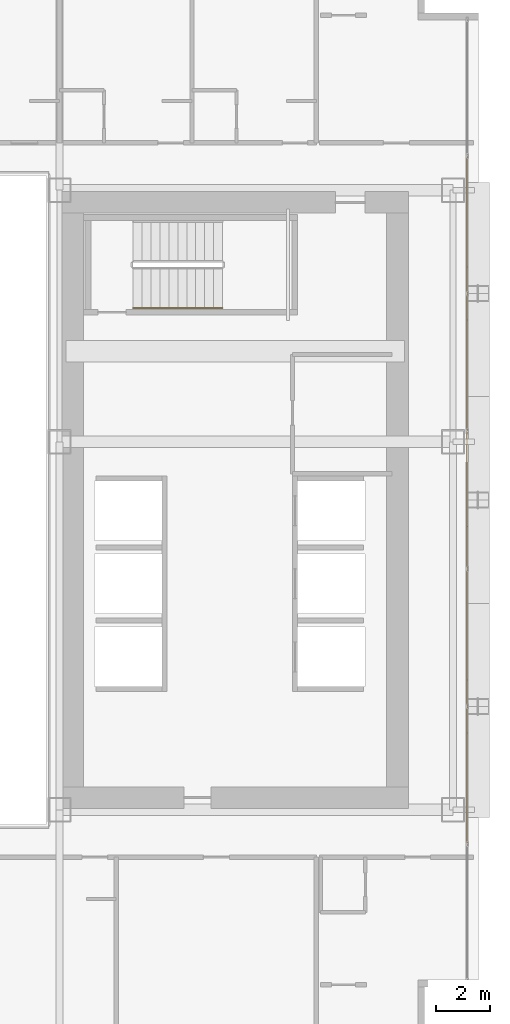
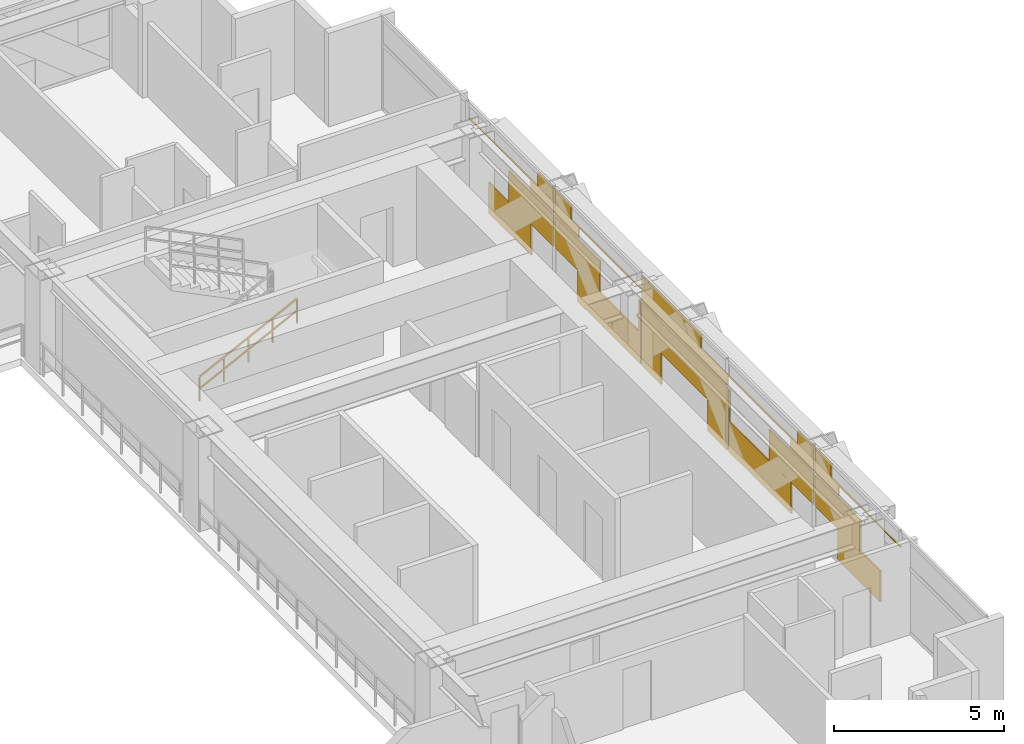
# One storey, part 34 of 35: 1 covering, 1 railing.
"""IFC4 building model written with IfcOpenShell, lengths in metres."""

import ifcopenshell
import ifcopenshell.guid

model = None  # the IFC model being written
_history = None  # IfcOwnerHistory: only IFC2X3 demands one
_inside = {}  # id of a spatial element -> (the spatial element, [elements in it])
_under = {}  # id of a project, library or spatial element -> (it, [spatial elements below it])
_declared = {}  # id of a project -> (the project, [libraries it declares])
_typed = {}  # id of a type object -> (the type object, [elements of that type])
_made_of = {}  # id of a material, layer set ... -> (it, [elements and type objects made of it])


def new_model(schema):
    """Start an empty IFC model of exactly this schema.

    Asked for "IFC4X3", IfcOpenShell would pick the latest addendum, in which some entities
    have other attributes; the version numbers below select the first issue.
    IFC2X3 requires an IfcOwnerHistory on every rooted entity: one is made here for all.
    """
    global model, _history
    if schema == "IFC4X3":
        model = ifcopenshell.file(schema_version=(4, 3, 0, 0))
    else:
        model = ifcopenshell.file(schema=schema)
    _inside.clear()
    _under.clear()
    _declared.clear()
    _typed.clear()
    _made_of.clear()
    _history = None
    if model.schema == "IFC2X3":
        org = make("IfcOrganization", Name="unknown")
        user = make(
            "IfcPersonAndOrganization",
            ThePerson=make("IfcPerson", FamilyName="unknown"),
            TheOrganization=org,
        )
        app = make(
            "IfcApplication",
            ApplicationDeveloper=org,
            Version="unknown",
            ApplicationFullName="unknown",
            ApplicationIdentifier="unknown",
        )
        _history = make(
            "IfcOwnerHistory",
            OwningUser=user,
            OwningApplication=app,
            ChangeAction="ADDED",
            CreationDate=0,
        )
    return model


def make(cls, **values):
    """One entity of the class cls with the attributes given. An attribute that is None is left unset."""
    return model.create_entity(
        cls, **{name: value for name, value in values.items() if value is not None}
    )


def rooted(cls, **values):
    """An entity with a GlobalId (a new one), such as an element, a storey or a relation."""
    return make(cls, GlobalId=ifcopenshell.guid.new(), OwnerHistory=_history, **values)


def si_unit(unit_type, name, prefix=None):
    """IfcSIUnit, for example si_unit("LENGTHUNIT", "METRE", prefix="MILLI")."""
    return make("IfcSIUnit", UnitType=unit_type, Prefix=prefix, Name=name)


def assignment(units):
    """IfcUnitAssignment: the units of a project."""
    return None if units is None else make("IfcUnitAssignment", Units=units)


def point(xyz):
    """IfcCartesianPoint."""
    return None if xyz is None else make("IfcCartesianPoint", Coordinates=xyz)


def direction(xyz):
    """IfcDirection."""
    return None if xyz is None else make("IfcDirection", DirectionRatios=xyz)


def frame(location, z_axis=None, x_axis=None):
    """IfcAxis2Placement3D, a coordinate frame: its origin and axes. An axis left out is left unset."""
    return make(
        "IfcAxis2Placement3D",
        Location=point(location),
        Axis=direction(z_axis),
        RefDirection=direction(x_axis),
    )


def frame_2d(location, x_axis=None):
    """IfcAxis2Placement2D, a coordinate frame in the plane: its origin and x axis."""
    return make(
        "IfcAxis2Placement2D", Location=point(location), RefDirection=direction(x_axis)
    )


def origin():
    """The frame at (0, 0, 0) with its axes left unset."""
    return frame((0.0, 0.0, 0.0))


def origin_2d():
    """The frame at (0, 0) in the plane with its x axis left unset."""
    return frame_2d((0.0, 0.0))


def place(relative_to, where):
    """IfcLocalPlacement: puts the frame where relative to a parent placement (None: the world)."""
    return make(
        "IfcLocalPlacement", PlacementRelTo=relative_to, RelativePlacement=where
    )


def context(
    kind, dimensions, precision=None, world=None, true_north=None, identifier=None
):
    """IfcGeometricRepresentationContext, for example the 3D "Model" context."""
    return make(
        "IfcGeometricRepresentationContext",
        ContextIdentifier=identifier,
        ContextType=kind,
        CoordinateSpaceDimension=dimensions,
        Precision=precision,
        WorldCoordinateSystem=world,
        TrueNorth=true_north,
    )


def subcontext(parent, identifier, kind, view, scale=None):
    """IfcGeometricRepresentationSubContext, for example "Body" below "Model"."""
    return make(
        "IfcGeometricRepresentationSubContext",
        ContextIdentifier=identifier,
        ContextType=kind,
        ParentContext=parent,
        TargetScale=scale,
        TargetView=view,
    )


def project(units=None, contexts=None):
    """IfcProject with its units and contexts."""
    return rooted(
        "IfcProject",
        Name="project",
        RepresentationContexts=contexts,
        UnitsInContext=assignment(units),
    )


def spatial(cls, under=None, at=None, **own):
    """A site, building, storey or space (cls), placed at a placement, below another one or the project."""
    s = rooted(cls, ObjectPlacement=at, **own)
    if under is not None:
        _under.setdefault(under.id(), (under, []))[1].append(s)
    return s


def profile(cls, at=None, kind="AREA", **sizes):
    """A parametric profile (cls). Its sizes go by their IFC names, for example OverallWidth=200.0."""
    return make(cls, ProfileType=kind, Position=at, **sizes)


def rectangle(**sizes):
    """IfcRectangleProfileDef."""
    return profile("IfcRectangleProfileDef", **sizes)


def extrude(swept, where, along, depth):
    """IfcExtrudedAreaSolid: the profile swept, set in the frame where, extruded along a direction by depth."""
    return make(
        "IfcExtrudedAreaSolid",
        SweptArea=swept,
        Position=where,
        ExtrudedDirection=direction(along),
        Depth=depth,
    )


def shape(context_of_items, identifier, shape_type, items):
    """IfcShapeRepresentation: the items that make up one representation, for example the "Body"."""
    return make(
        "IfcShapeRepresentation",
        ContextOfItems=context_of_items,
        RepresentationIdentifier=identifier,
        RepresentationType=shape_type,
        Items=items,
    )


def material(Name=None, Category=None):
    """IfcMaterial."""
    return make("IfcMaterial", Name=Name, Category=Category)


def layer(
    of_material, thickness, ventilated=None, Name=None, Category=None, Priority=None
):
    """IfcMaterialLayer: one layer of a wall or slab, of a material (None: an air gap)."""
    return make(
        "IfcMaterialLayer",
        Material=of_material,
        LayerThickness=thickness,
        IsVentilated=ventilated,
        Name=Name,
        Category=Category,
        Priority=Priority,
    )


def layer_set(layers, Name=None):
    """IfcMaterialLayerSet."""
    return make("IfcMaterialLayerSet", MaterialLayers=layers, LayerSetName=Name)


def made_of(thing, what):
    """Note that an element or type object is made of a material, layer set ...; save() writes the relation."""
    if what is not None:
        _made_of.setdefault(what.id(), (what, []))[1].append(thing)
    return thing


def type_object(cls, material=None, **own):
    """A type object (cls), such as IfcWallType, which elements share."""
    return made_of(rooted(cls, **own), material)


def element(
    cls,
    number,
    at=None,
    inside=None,
    cuts=None,
    type_object=None,
    material=None,
    context=None,
    identifier="Body",
    shape_type=None,
    held_by="IfcProductDefinitionShape",
    body=None,
    shapes=None,
    **own,
):
    """One element of the class cls, such as IfcWall. Its Tag is "e" and its number.

    at: its placement. inside: the storey or other place that contains it. cuts: it is an
    opening in that element (IfcRelVoidsElement). A single representation is given by context,
    identifier, shape_type and body (its items); several are given by shapes. held_by: the class
    of the entity that holds the representations. save() writes the other relations.
    """
    e = rooted(cls, Tag="e%d" % number, ObjectPlacement=at, **own)
    if body is not None:
        shapes = [shape(context, identifier, shape_type, body)]
    if shapes is not None:
        e.Representation = make(held_by, Representations=shapes)
    if inside is not None:
        _inside.setdefault(inside.id(), (inside, []))[1].append(e)
    if cuts is not None:
        rooted(
            "IfcRelVoidsElement", RelatingBuildingElement=cuts, RelatedOpeningElement=e
        )
    if type_object is not None:
        _typed.setdefault(type_object.id(), (type_object, []))[1].append(e)
    return made_of(e, material)


def aggregate(whole, parts):
    """IfcRelAggregates: a whole, such as a stair, and the parts it consists of."""
    return rooted("IfcRelAggregates", RelatingObject=whole, RelatedObjects=parts)


def save(model, path):
    """Write the relations noted so far, then the file.

    IfcRelAggregates (storeys below a building ...), IfcRelContainedInSpatialStructure (elements
    in a storey), IfcRelDefinesByType, IfcRelAssociatesMaterial and IfcRelDeclares: one each for
    every whole, place, type object, material and project.
    """
    for whole, parts in _under.values():
        aggregate(whole, parts)
    for where, things in _inside.values():
        rooted(
            "IfcRelContainedInSpatialStructure",
            RelatedElements=things,
            RelatingStructure=where,
        )
    for kind, things in _typed.values():
        rooted("IfcRelDefinesByType", RelatedObjects=things, RelatingType=kind)
    for what, things in _made_of.values():
        rooted("IfcRelAssociatesMaterial", RelatedObjects=things, RelatingMaterial=what)
    for by, libraries in _declared.values():
        rooted("IfcRelDeclares", RelatingContext=by, RelatedDefinitions=libraries)
    model.write(path)


model = new_model("IFC4")

# Units and contexts
model_context = context("Model", 3, precision=1e-05, world=origin(), true_north=direction((0.0, 1.0)))
body_context = subcontext(model_context, "Body", "Model", "MODEL_VIEW")
ifc_project = project(units=[si_unit("LENGTHUNIT", "METRE"), si_unit("AREAUNIT", "SQUARE_METRE"), si_unit("VOLUMEUNIT", "CUBIC_METRE"), si_unit("PLANEANGLEUNIT", "RADIAN"), si_unit("MASSUNIT", "GRAM", prefix="KILO")], contexts=[model_context])

# Site, building, storey
site_placement = place(None, origin())
site = spatial("IfcSite", under=ifc_project, at=site_placement, CompositionType="ELEMENT")
building_placement = place(site_placement, origin())
building = spatial("IfcBuilding", under=site, at=building_placement, Name="Ocotamira Hotel", CompositionType="ELEMENT")
storey_placement = place(building_placement, frame((0.0, 0.0, 78.0)))
storey = spatial("IfcBuildingStorey", under=building, at=storey_placement, Name="L19", CompositionType="ELEMENT", Elevation=78.0)

# Covering
ifc_material_1 = material(Name="Insulated pale-metal aluminium spandrel panel", Category="aluminium")
ifc_layer = layer(ifc_material_1, 0.044921875)
ifc_layer_set = layer_set([ifc_layer], Name="Insulated pale-metal aluminium spandrel panel")
covering_type = type_object("IfcCoveringType", Name="COV-INFILL-45", PredefinedType="CLADDING", material=ifc_layer_set)
covering_placement = place(storey_placement, origin())
element("IfcCovering", 1, at=covering_placement, inside=storey, type_object=covering_type, Name="L19 Curtain Wall Infill CW-2 CW-L19-E", PredefinedType="CLADDING", context=body_context, shape_type="SweptSolid", body=[
    extrude(rectangle(XDim=2.49658203125, YDim=0.044921875, at=origin_2d()), frame((55.580078125, 15.752685546875, 0.07568359375), z_axis=(0.0, 0.0, 1.0), x_axis=(0.0, 1.0, 0.0)), (0.0, 0.0, 1.0), 1.11767578125),
    extrude(rectangle(XDim=2.640625, YDim=0.044921875, at=origin_2d()), frame((55.580078125, 17.010498046875, 1.1943359375), z_axis=(0.0, 0.0, 1.0), x_axis=(0.0, 1.0, 0.0)), (0.0, 0.0, 1.0), 1.117919921875),
    extrude(rectangle(XDim=5.004638671875, YDim=0.044921875, at=origin_2d()), frame((55.580078125, 15.82861328125, 2.753173828125), z_axis=(0.0, 0.0, 1.0), x_axis=(0.0, 1.0, 0.0)), (0.0, 0.0, 1.0), 0.0361328125),
    extrude(rectangle(XDim=1.375, YDim=0.044921875, at=origin_2d()), frame((55.580078125, 17.643310546875, 2.387939453125), z_axis=(0.0, 0.0, 1.0), x_axis=(0.0, 1.0, 0.0)), (0.0, 0.0, 1.0), 0.3642578125),
    extrude(rectangle(XDim=0.948486328125, YDim=0.044921875, at=origin_2d()), frame((55.580078125, 17.856689453125, 2.79052734375), z_axis=(0.0, 0.0, 1.0), x_axis=(0.0, 1.0, 0.0)), (0.0, 0.0, 1.0), 0.484130859375),
    extrude(rectangle(XDim=2.631103515625, YDim=0.044921875, at=origin_2d()), frame((55.580078125, 19.727294921875, 1.1943359375), z_axis=(0.0, 0.0, 1.0), x_axis=(0.0, 1.0, 0.0)), (0.0, 0.0, 1.0), 1.117919921875),
    extrude(rectangle(XDim=3.684326171875, YDim=0.044921875, at=origin_2d()), frame((55.580078125, 21.574462890625, 0.07568359375), z_axis=(0.0, 0.0, 1.0), x_axis=(0.0, 1.0, 0.0)), (0.0, 0.0, 1.0), 1.11767578125),
    extrude(rectangle(XDim=0.093017578125, YDim=0.044921875, at=origin_2d()), frame((55.580078125, 23.3701171875, 1.1943359375), z_axis=(0.0, 0.0, 1.0), x_axis=(0.0, 1.0, 0.0)), (0.0, 0.0, 1.0), 1.117919921875),
    extrude(rectangle(XDim=1.365478515625, YDim=0.044921875, at=origin_2d()), frame((55.580078125, 19.094482421875, 2.387939453125), z_axis=(0.0, 0.0, 1.0), x_axis=(0.0, 1.0, 0.0)), (0.0, 0.0, 1.0), 0.3642578125),
    extrude(rectangle(XDim=5.004638671875, YDim=0.044921875, at=origin_2d()), frame((55.580078125, 20.914306640625, 2.753173828125), z_axis=(0.0, 0.0, 1.0), x_axis=(0.0, 1.0, 0.0)), (0.0, 0.0, 1.0), 0.0361328125),
    extrude(rectangle(XDim=0.93896484375, YDim=0.044921875, at=origin_2d()), frame((55.580078125, 18.88134765625, 2.79052734375), z_axis=(0.0, 0.0, 1.0), x_axis=(0.0, 1.0, 0.0)), (0.0, 0.0, 1.0), 0.484130859375),
    extrude(rectangle(XDim=1.13671875, YDim=0.044921875, at=origin_2d()), frame((55.580078125, 24.06591796875, 0.07568359375), z_axis=(0.0, 0.0, 1.0), x_axis=(0.0, 1.0, 0.0)), (0.0, 0.0, 1.0), 1.11767578125),
    extrude(rectangle(XDim=5.004638671875, YDim=0.044921875, at=origin_2d()), frame((55.580078125, 26.0, 1.1943359375), z_axis=(0.0, 0.0, 1.0), x_axis=(0.0, 1.0, 0.0)), (0.0, 0.0, 1.0), 1.117919921875),
    extrude(rectangle(XDim=1.13671875, YDim=0.044921875, at=origin_2d()), frame((55.580078125, 27.93408203125, 0.07568359375), z_axis=(0.0, 0.0, 1.0), x_axis=(0.0, 1.0, 0.0)), (0.0, 0.0, 1.0), 1.11767578125),
    extrude(rectangle(XDim=5.004638671875, YDim=0.044921875, at=origin_2d()), frame((55.580078125, 26.0, 2.387939453125), z_axis=(0.0, 0.0, 1.0), x_axis=(0.0, 1.0, 0.0)), (0.0, 0.0, 1.0), 0.4013671875),
    extrude(rectangle(XDim=3.486572265625, YDim=0.044921875, at=origin_2d()), frame((55.580078125, 26.759033203125, 2.79052734375), z_axis=(0.0, 0.0, 1.0), x_axis=(0.0, 1.0, 0.0)), (0.0, 0.0, 1.0), 0.484130859375),
    extrude(rectangle(XDim=3.684326171875, YDim=0.044921875, at=origin_2d()), frame((55.580078125, 30.425537109375, 0.07568359375), z_axis=(0.0, 0.0, 1.0), x_axis=(0.0, 1.0, 0.0)), (0.0, 0.0, 1.0), 1.11767578125),
    extrude(rectangle(XDim=0.093017578125, YDim=0.044921875, at=origin_2d()), frame((55.580078125, 28.6298828125, 1.1943359375), z_axis=(0.0, 0.0, 1.0), x_axis=(0.0, 1.0, 0.0)), (0.0, 0.0, 1.0), 1.117919921875),
    extrude(rectangle(XDim=2.631103515625, YDim=0.044921875, at=origin_2d()), frame((55.580078125, 32.272705078125, 1.1943359375), z_axis=(0.0, 0.0, 1.0), x_axis=(0.0, 1.0, 0.0)), (0.0, 0.0, 1.0), 1.117919921875),
    extrude(rectangle(XDim=5.004638671875, YDim=0.044921875, at=origin_2d()), frame((55.580078125, 31.085693359375, 2.753173828125), z_axis=(0.0, 0.0, 1.0), x_axis=(0.0, 1.0, 0.0)), (0.0, 0.0, 1.0), 0.0361328125),
    extrude(rectangle(XDim=1.365478515625, YDim=0.044921875, at=origin_2d()), frame((55.580078125, 32.905517578125, 2.387939453125), z_axis=(0.0, 0.0, 1.0), x_axis=(0.0, 1.0, 0.0)), (0.0, 0.0, 1.0), 0.3642578125),
    extrude(rectangle(XDim=0.93896484375, YDim=0.044921875, at=origin_2d()), frame((55.580078125, 33.11865234375, 2.79052734375), z_axis=(0.0, 0.0, 1.0), x_axis=(0.0, 1.0, 0.0)), (0.0, 0.0, 1.0), 0.484130859375),
    extrude(rectangle(XDim=2.640625, YDim=0.044921875, at=origin_2d()), frame((55.580078125, 34.989501953125, 1.1943359375), z_axis=(0.0, 0.0, 1.0), x_axis=(0.0, 1.0, 0.0)), (0.0, 0.0, 1.0), 1.117919921875),
    extrude(rectangle(XDim=2.49658203125, YDim=0.044921875, at=origin_2d()), frame((55.580078125, 36.247314453125, 0.07568359375), z_axis=(0.0, 0.0, 1.0), x_axis=(0.0, 1.0, 0.0)), (0.0, 0.0, 1.0), 1.11767578125),
    extrude(rectangle(XDim=1.375, YDim=0.044921875, at=origin_2d()), frame((55.580078125, 34.356689453125, 2.387939453125), z_axis=(0.0, 0.0, 1.0), x_axis=(0.0, 1.0, 0.0)), (0.0, 0.0, 1.0), 0.3642578125),
    extrude(rectangle(XDim=5.004638671875, YDim=0.044921875, at=origin_2d()), frame((55.580078125, 36.17138671875, 2.753173828125), z_axis=(0.0, 0.0, 1.0), x_axis=(0.0, 1.0, 0.0)), (0.0, 0.0, 1.0), 0.0361328125),
    extrude(rectangle(XDim=0.948486328125, YDim=0.044921875, at=origin_2d()), frame((55.580078125, 34.143310546875, 2.79052734375), z_axis=(0.0, 0.0, 1.0), x_axis=(0.0, 1.0, 0.0)), (0.0, 0.0, 1.0), 0.484130859375),
])

# Railing
ifc_material_2 = material(Name="Brushed stainless steel handrail", Category="steel")
railing_type = type_object("IfcRailingType", Name="RL-HAND-900", PredefinedType="HANDRAIL", material=ifc_material_2)
railing_placement = place(storey_placement, frame((43.22998046875, 33.10009765625, 0.327392578125)))
element("IfcRailing", 2, at=railing_placement, inside=storey, type_object=railing_type, Name="L19 ST-4 stair handrail 1", PredefinedType="HANDRAIL", context=body_context, shape_type="SweptSolid", body=[
    extrude(rectangle(XDim=0.048095703125, YDim=0.048095703125, at=origin_2d()), frame((0.0, 0.0, 0.8759765625), z_axis=(0.895920123917, 0.0, 0.444215186098), x_axis=(0.0, 1.0, 0.0)), (0.0, 0.0, 1.0), 3.683349609375),
    extrude(rectangle(XDim=0.048095703125, YDim=0.048095703125, at=origin_2d()), frame((0.0, 0.0, 0.449951171875), z_axis=(0.895920123917, 0.0, 0.444215186098), x_axis=(0.0, 1.0, 0.0)), (0.0, 0.0, 1.0), 3.683349609375),
    extrude(rectangle(XDim=0.0419921875, YDim=0.0419921875, at=origin_2d()), origin(), (0.0, 0.0, 1.0), 0.851806640625),
    extrude(rectangle(XDim=0.0419921875, YDim=0.0419921875, at=origin_2d()), frame((0.824951171875, 0.0, 0.4091796875)), (0.0, 0.0, 1.0), 0.851806640625),
    extrude(rectangle(XDim=0.0419921875, YDim=0.0419921875, at=origin_2d()), frame((1.64990234375, 0.0, 0.818115234375)), (0.0, 0.0, 1.0), 0.851806640625),
    extrude(rectangle(XDim=0.0419921875, YDim=0.0419921875, at=origin_2d()), frame((2.47509765625, 0.0, 1.22705078125)), (0.0, 0.0, 1.0), 0.851806640625),
    extrude(rectangle(XDim=0.0419921875, YDim=0.0419921875, at=origin_2d()), frame((3.300048828125, 0.0, 1.63623046875)), (0.0, 0.0, 1.0), 0.851806640625),
])

save(model, "model.ifc")
